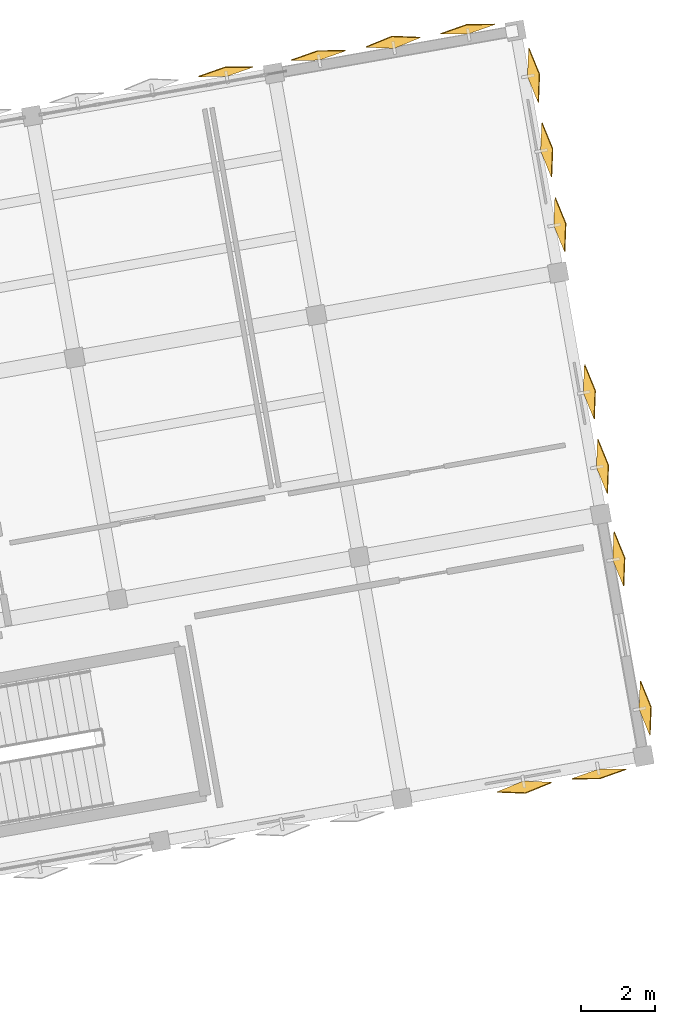
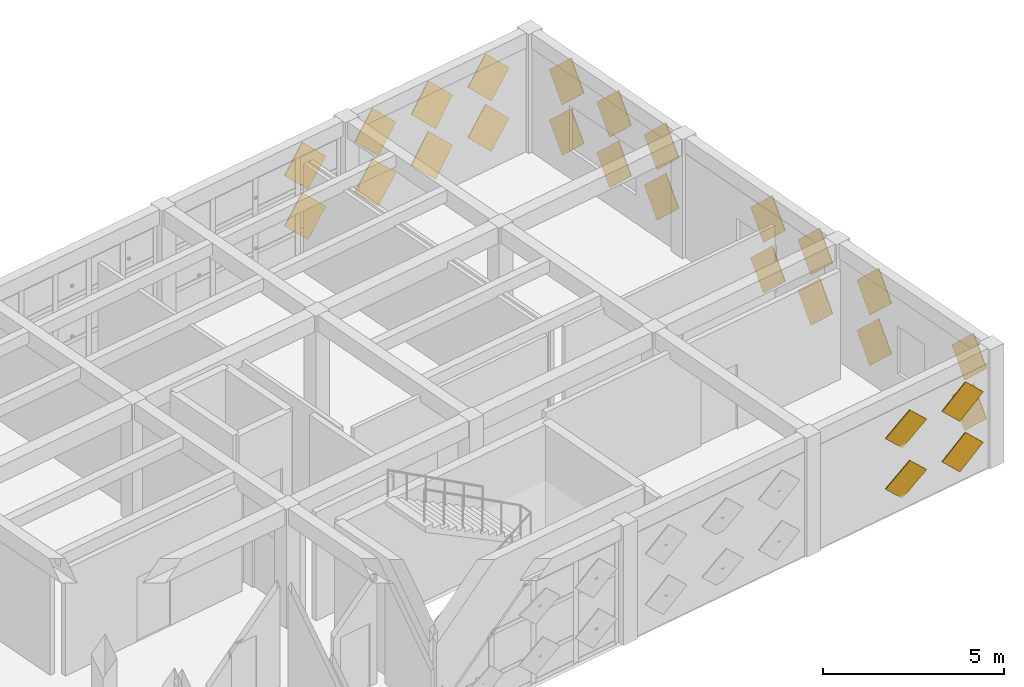
# One storey, part 15 of 15: 26 coverings.
"""IFC4 building model written with IfcOpenShell, lengths in metres."""

from ifc_helpers import new_model, si_unit, direction, frame, origin, place, context, subcontext, project, spatial, polyline, outline, extrude, material, type_object, element, save


model = new_model("IFC4")

# Units and contexts
model_context = context("Model", 3, precision=1e-05, world=origin(), true_north=direction((0.0, 1.0)))
body_context = subcontext(model_context, "Body", "Model", "MODEL_VIEW")
ifc_project = project(units=[si_unit("LENGTHUNIT", "METRE"), si_unit("AREAUNIT", "SQUARE_METRE"), si_unit("VOLUMEUNIT", "CUBIC_METRE"), si_unit("PLANEANGLEUNIT", "RADIAN"), si_unit("MASSUNIT", "GRAM", prefix="KILO")], contexts=[model_context])

# Site, building, storey
site_placement = place(None, origin())
site = spatial("IfcSite", under=ifc_project, at=site_placement, CompositionType="ELEMENT")
building_placement = place(site_placement, origin())
building = spatial("IfcBuilding", under=site, at=building_placement, Name="Kharisveld Research Institute", CompositionType="ELEMENT")
storey_placement = place(building_placement, frame((0.0, 0.0, 40.800048828125)))
storey = spatial("IfcBuildingStorey", under=building, at=storey_placement, Name="L09", CompositionType="ELEMENT", Elevation=40.800048828125)

# Coverings
ifc_material = material(Name="White Powder-Coated Perforated Aluminium", Category="aluminium")
covering_type = type_object("IfcCoveringType", Name="CV_DIA_105", PredefinedType="CLADDING")
for number, where, z_axis, x_axis, name in (
    (1, (26.49267578125, 59.009521484375, 0.317626953125), (0.171234061711, -0.9712992705, 0.165095800177), (0.67605633082, 0.237732396439, 0.697446159385), "SHD:V1:L09:N3:S2C0"),
    (2, (26.49267578125, 59.009521484375, 2.017578125), (0.171234061711, -0.9712992705, 0.165095800177), (0.67605633082, 0.237732396439, 0.697446159385), "SHD:V1:L09:N3:S2C1"),
    (3, (28.98095703125, 59.4482421875, 0.317626953125), (0.171234061711, -0.9712992705, 0.165095800177), (0.67605633082, 0.237732396439, 0.697446159385), "SHD:V1:L09:N4:S0C0"),
    (4, (28.98095703125, 59.4482421875, 2.017578125), (0.171234061711, -0.9712992705, 0.165095800177), (0.67605633082, 0.237732396439, 0.697446159385), "SHD:V1:L09:N4:S0C1"),
):
    element("IfcCovering", number, at=place(storey_placement, frame(where, z_axis=z_axis, x_axis=x_axis)), inside=storey, type_object=covering_type, material=ifc_material, Name=name, PredefinedType="CLADDING", context=body_context, shape_type="SweptSolid", body=[
        extrude(outline(polyline([(0.0, 0.0), (1.050115429038497, -1.1102230246251565e-16), (1.0501618771158647, 1.0499129452537745), (0.00015868288277420817, 1.050085106724131), (0.0, 0.0)])), origin(), (0.0, 0.0, -1.0), 0.02392578125),
    ])
for number, where, z_axis, x_axis, name in (
    (5, (30.993408203125, 59.764404296875, 0.3251953125), (0.169503194288, -0.961481187298, 0.216385289699), (0.669728459805, 0.273452141042, 0.690425750307), "SHD:V1:L09:N4:S1C0"),
    (6, (30.993408203125, 59.764404296875, 2.025146484375), (0.169503194288, -0.961481187298, 0.216385289699), (0.669728459805, 0.273452141042, 0.690425750307), "SHD:V1:L09:N4:S1C1"),
):
    element("IfcCovering", number, at=place(storey_placement, frame(where, z_axis=z_axis, x_axis=x_axis)), inside=storey, type_object=covering_type, material=ifc_material, Name=name, PredefinedType="CLADDING", context=body_context, shape_type="SweptSolid", body=[
        extrude(outline(polyline([(0.0, 0.0), (1.0498710289953155, -1.1102230246251565e-16), (1.0499937165082887, 1.0499534818098035), (-4.082041178410378e-05, 1.0501299960653954), (0.0, 0.0)])), origin(), (0.0, 0.0, -1.0), 0.02392578125),
    ])
for number, where, z_axis, x_axis, name in (
    (7, (32.992431640625, 60.155517578125, 0.317626953125), (0.171391321025, -0.971271535422, 0.16509578903), (0.676038293912, 0.237842070836, 0.697426250226), "SHD:V1:L09:N4:S2C0"),
    (8, (32.992431640625, 60.155517578125, 2.017578125), (0.171391321025, -0.971271535422, 0.16509578903), (0.676038293912, 0.237842070836, 0.697426250226), "SHD:V1:L09:N4:S2C1"),
):
    element("IfcCovering", number, at=place(storey_placement, frame(where, z_axis=z_axis, x_axis=x_axis)), inside=storey, type_object=covering_type, material=ifc_material, Name=name, PredefinedType="CLADDING", context=body_context, shape_type="SweptSolid", body=[
        extrude(outline(polyline([(0.0, 0.0), (1.0501734735939505, -1.1102230246251565e-16), (1.0501599658262741, 1.049914856993047), (0.00015676231294525778, 1.0500851159819262), (0.0, 0.0)])), origin(), (0.0, 0.0, -1.0), 0.02392578125),
    ])
for number, where, z_axis, x_axis, name in (
    (9, (34.57763671875, 59.0126953125, 0.3251953125), (-0.961481187298, -0.169503194288, 0.216385289699), (0.273447448775, -0.669849989418, 0.690309701826), "SHD:V1:L09:E3:S0C0"),
    (10, (34.57763671875, 59.0126953125, 2.025146484375), (-0.961481187298, -0.169503194288, 0.216385289699), (0.273447448775, -0.669849989418, 0.690309701826), "SHD:V1:L09:E3:S0C1"),
):
    element("IfcCovering", number, at=place(storey_placement, frame(where, z_axis=z_axis, x_axis=x_axis)), inside=storey, type_object=covering_type, material=ifc_material, Name=name, PredefinedType="CLADDING", context=body_context, shape_type="SweptSolid", body=[
        extrude(outline(polyline([(0.0, 0.0), (1.0500345517563856, -1.1102230246251565e-16), (1.0498172010450848, 1.0501299743656882), (-5.381311622809637e-05, 1.0499534875988095), (0.0, 0.0)])), origin(), (0.0, 0.0, -1.0), 0.02392578125),
    ])
for number, where, z_axis, x_axis, name in (
    (11, (34.93115234375, 57.007080078125, 0.3251953125), (-0.961453431325, -0.169498301082, 0.216512413788), (0.273536150679, -0.669829678259, 0.690294267972), "SHD:V1:L09:E3:S1C0"),
    (12, (34.93115234375, 57.007080078125, 2.025146484375), (-0.961453431325, -0.169498301082, 0.216512413788), (0.273536150679, -0.669829678259, 0.690294267972), "SHD:V1:L09:E3:S1C1"),
):
    element("IfcCovering", number, at=place(storey_placement, frame(where, z_axis=z_axis, x_axis=x_axis)), inside=storey, type_object=covering_type, material=ifc_material, Name=name, PredefinedType="CLADDING", context=body_context, shape_type="SweptSolid", body=[
        extrude(outline(polyline([(0.0, 0.0), (1.050101326665668, -1.1102230246251565e-16), (1.050054341798497, 1.049953481570866), (1.9796419616024963e-05, 1.0499603230588543), (0.0, 0.0)])), origin(), (0.0, 0.0, -1.0), 0.02392578125),
    ])
for number, where, z_axis, x_axis, name in (
    (13, (35.284912109375, 55.001220703125, 0.3251953125), (-0.961481187298, -0.169503194288, 0.216385289699), (0.273447448775, -0.669849989418, 0.690309701826), "SHD:V1:L09:E3:S2C0"),
    (14, (35.284912109375, 55.001220703125, 2.025146484375), (-0.961481187298, -0.169503194288, 0.216385289699), (0.273447448775, -0.669849989418, 0.690309701826), "SHD:V1:L09:E3:S2C1"),
):
    element("IfcCovering", number, at=place(storey_placement, frame(where, z_axis=z_axis, x_axis=x_axis)), inside=storey, type_object=covering_type, material=ifc_material, Name=name, PredefinedType="CLADDING", context=body_context, shape_type="SweptSolid", body=[
        extrude(outline(polyline([(0.0, 0.0), (1.0500345517563856, -1.1102230246251565e-16), (1.0498172010450848, 1.0501299743656882), (-5.381311622809637e-05, 1.0499534875988095), (0.0, 0.0)])), origin(), (0.0, 0.0, -1.0), 0.02392578125),
    ])
for number, where, z_axis, x_axis, name in (
    (15, (36.077392578125, 50.50732421875, 0.3251953125), (-0.961487125864, -0.169504241221, 0.216358080518), (0.27342850239, -0.669853329409, 0.690313965642), "SHD:V1:L09:E2:S1C0"),
    (16, (36.077392578125, 50.50732421875, 2.025146484375), (-0.961487125864, -0.169504241221, 0.216358080518), (0.27342850239, -0.669853329409, 0.690313965642), "SHD:V1:L09:E2:S1C1"),
):
    element("IfcCovering", number, at=place(storey_placement, frame(where, z_axis=z_axis, x_axis=x_axis)), inside=storey, type_object=covering_type, material=ifc_material, Name=name, PredefinedType="CLADDING", context=body_context, shape_type="SweptSolid", body=[
        extrude(outline(polyline([(0.0, 0.0), (1.0500345519602505, 0.0), (1.0499807392517624, 1.0499534878027108), (-5.381270848814346e-05, 1.049953487802711), (0.0, 0.0)])), origin(), (0.0, 0.0, -1.0), 0.02392578125),
    ])
for number, where, z_axis, x_axis, name in (
    (17, (36.430908203125, 48.50146484375, 0.3251953125), (-0.961415183851, -0.169680388935, 0.216539626561), (0.273686222093, -0.669682514552, 0.690377564481), "SHD:V1:L09:E2:S2C0"),
    (18, (36.430908203125, 48.50146484375, 2.025146484375), (-0.961415183851, -0.169680388935, 0.216539626561), (0.273686222093, -0.669682514552, 0.690377564481), "SHD:V1:L09:E2:S2C1"),
):
    element("IfcCovering", number, at=place(storey_placement, frame(where, z_axis=z_axis, x_axis=x_axis)), inside=storey, type_object=covering_type, material=ifc_material, Name=name, PredefinedType="CLADDING", context=body_context, shape_type="SweptSolid", body=[
        extrude(outline(polyline([(0.0, 0.0), (1.0499378208641543, -1.1102230246251565e-16), (1.0500673125274043, 1.0499534811965692), (0.00012949166324993655, 1.0499534811965692), (0.0, 0.0)])), origin(), (0.0, 0.0, -1.0), 0.02392578125),
    ])
for number, where, z_axis, x_axis, name in (
    (19, (36.86962890625, 46.01318359375, 0.3251953125), (-0.961442649282, -0.16952470156, 0.216539621552), (0.273578752319, -0.669701468459, 0.690401773914), "SHD:V1:L09:E1:S0C0"),
    (20, (36.86962890625, 46.01318359375, 2.025146484375), (-0.961442649282, -0.16952470156, 0.216539621552), (0.273578752319, -0.669701468459, 0.690401773914), "SHD:V1:L09:E1:S0C1"),
):
    element("IfcCovering", number, at=place(storey_placement, frame(where, z_axis=z_axis, x_axis=x_axis)), inside=storey, type_object=covering_type, material=ifc_material, Name=name, PredefinedType="CLADDING", context=body_context, shape_type="SweptSolid", body=[
        extrude(outline(polyline([(0.0, 0.0), (1.0499378143046156, 0.0), (1.0500673190877523, 1.04995347463551), (0.0001962964707143966, 1.0499603048962165), (0.0, 0.0)])), origin(), (0.0, 0.0, -1.0), 0.02392578125),
    ])
for number, where, z_axis, x_axis, name in (
    (21, (37.5771484375, 42.001708984375, 0.3251953125), (-0.961476347302, -0.169530643305, 0.21638529192), (0.273471090272, -0.669725119033, 0.690421485559), "SHD:V1:L09:E1:S2C0"),
    (22, (37.5771484375, 42.001708984375, 2.025146484375), (-0.961476347302, -0.169530643305, 0.21638529192), (0.273471090272, -0.669725119033, 0.690421485559), "SHD:V1:L09:E1:S2C1"),
):
    element("IfcCovering", number, at=place(storey_placement, frame(where, z_axis=z_axis, x_axis=x_axis)), inside=storey, type_object=covering_type, material=ifc_material, Name=name, PredefinedType="CLADDING", context=body_context, shape_type="SweptSolid", body=[
        extrude(outline(polyline([(0.0, 0.0), (1.0498710291992122, 0.0), (1.0499937163043682, 1.0499534820137317), (0.00012268710515594972, 1.049953482013732), (0.0, 0.0)])), origin(), (0.0, 0.0, -1.0), 0.02392578125),
    ])
for number, where, z_axis, x_axis, name in (
    (23, (36.478271484375, 40.3857421875, 0.317626953125), (-0.171233254714, 0.971294692931, 0.165123565742), (-0.6759347874, -0.23775044496, 0.697557803414), "SHD:V1:L09:S5:S0C0"),
    (24, (36.478271484375, 40.3857421875, 2.017578125), (-0.171233254714, 0.971294692931, 0.165123565742), (-0.6759347874, -0.23775044496, 0.697557803414), "SHD:V1:L09:S5:S0C1"),
):
    element("IfcCovering", number, at=place(storey_placement, frame(where, z_axis=z_axis, x_axis=x_axis)), inside=storey, type_object=covering_type, material=ifc_material, Name=name, PredefinedType="CLADDING", context=body_context, shape_type="SweptSolid", body=[
        extrude(outline(polyline([(0.0, 0.0), (1.0500084332050879, 2.220446049250313e-16), (1.0501698889036777, 1.049914838079754), (0.00022477929746034242, 1.0502581492900183), (0.0, 0.0)])), origin(), (0.0, 0.0, -1.0), 0.02392578125),
    ])
for number, where, z_axis, x_axis, name in (
    (25, (34.466064453125, 40.069580078125, 0.3251953125), (-0.169498301082, 0.961453431325, 0.216512413788), (-0.669834388355, -0.273535968092, 0.690289769834), "SHD:V1:L09:S5:S1C0"),
    (26, (34.466064453125, 40.069580078125, 2.025146484375), (-0.169498301082, 0.961453431325, 0.216512413788), (-0.669834388355, -0.273535968092, 0.690289769834), "SHD:V1:L09:S5:S1C1"),
):
    element("IfcCovering", number, at=place(storey_placement, frame(where, z_axis=z_axis, x_axis=x_axis)), inside=storey, type_object=covering_type, material=ifc_material, Name=name, PredefinedType="CLADDING", context=body_context, shape_type="SweptSolid", body=[
        extrude(outline(polyline([(0.0, 0.0), (1.0500345454011688, 0.0), (1.0500475008163912, 1.049960323165551), (-5.3825826987430325e-05, 1.0499534812424507), (0.0, 0.0)])), origin(), (0.0, 0.0, -1.0), 0.02392578125),
    ])

save(model, "model.ifc")
